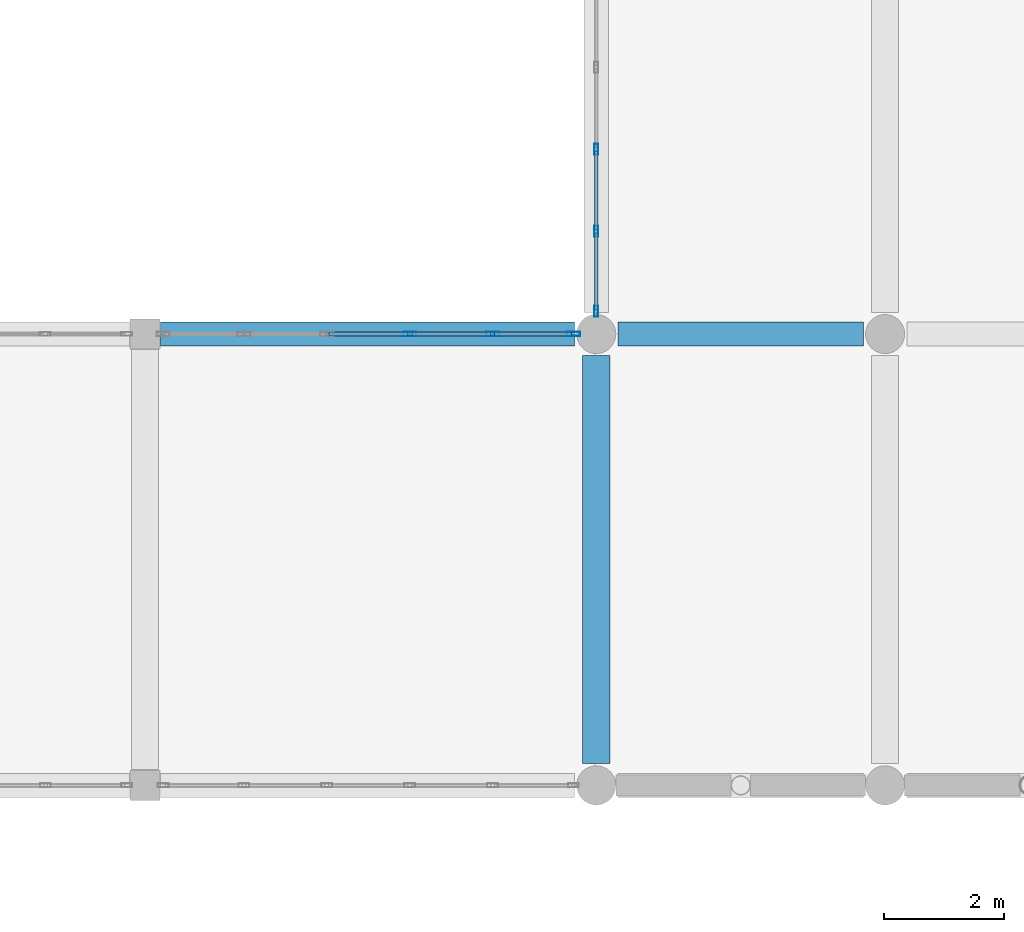
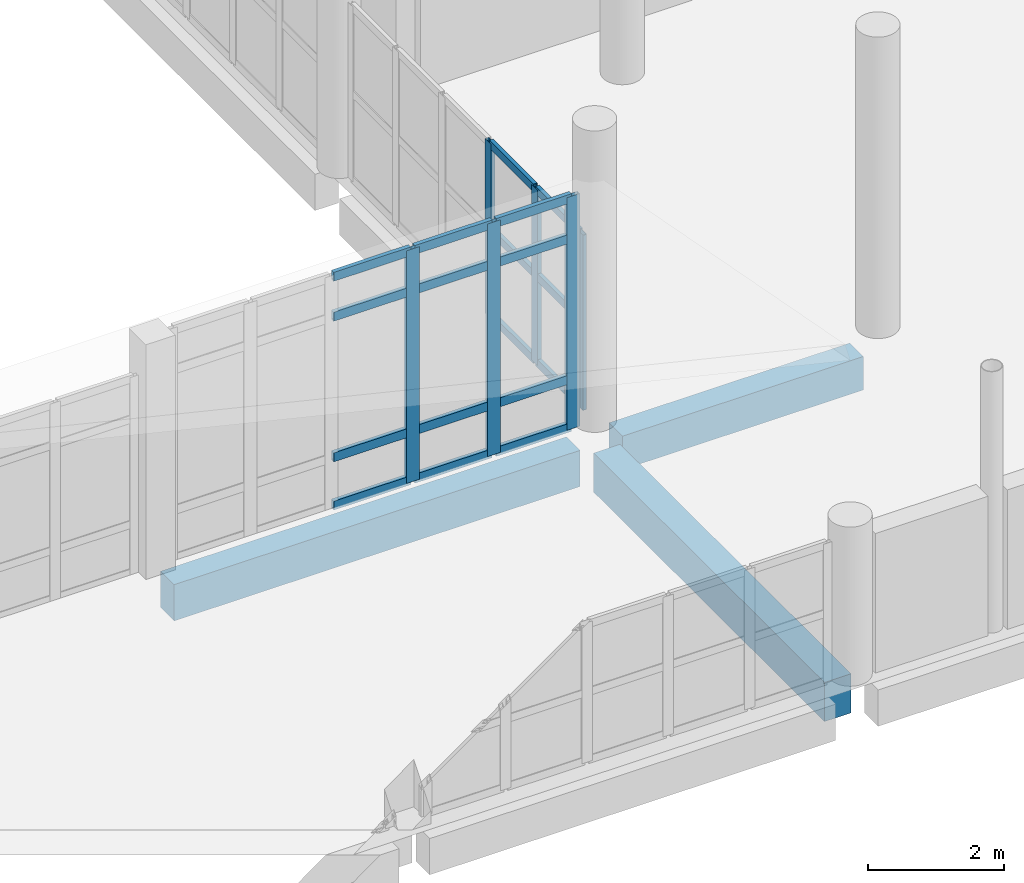
# One storey, part 51 of 164: 24 members, 3 beams, 2 elements without a shape of their own.
"""IFC4 building model written with IfcOpenShell, lengths in metres."""

from ifc_helpers import new_model, si_unit, direction, frame, origin, origin_2d, place, context, subcontext, project, spatial, rectangle, hollow_rectangle, extrude, material, layer, layer_set, material_profile, profile_set, type_object, element, aggregate, save


model = new_model("IFC4")

# Units and contexts
model_context = context("Model", 3, precision=1e-05, world=origin(), true_north=direction((0.0, 1.0)))
body_context = subcontext(model_context, "Body", "Model", "MODEL_VIEW")
ifc_project = project(units=[si_unit("LENGTHUNIT", "METRE"), si_unit("AREAUNIT", "SQUARE_METRE"), si_unit("VOLUMEUNIT", "CUBIC_METRE"), si_unit("PLANEANGLEUNIT", "RADIAN"), si_unit("MASSUNIT", "GRAM", prefix="KILO")], contexts=[model_context])

# Site, building, storey
site_placement = place(None, origin())
site = spatial("IfcSite", under=ifc_project, at=site_placement, CompositionType="ELEMENT")
building_placement = place(site_placement, origin())
building = spatial("IfcBuilding", under=site, at=building_placement, Name="Mawjan Specialist Oncology Clinic", CompositionType="ELEMENT")
storey_placement = place(building_placement, frame((0.0, 0.0, 5.0)))
storey = spatial("IfcBuildingStorey", under=building, at=storey_placement, Name="L01", CompositionType="ELEMENT", Elevation=5.0)

# Beams
ifc_material_1 = material(Name="Concrete C40/50", Category="concrete")
ifc_material_profile_1 = material_profile(ifc_material_1, rectangle(XDim=0.39990234375, YDim=0.60009765625, at=origin_2d()), Name="RC BM 400x600", Category="concrete")
ifc_profile_set_1 = profile_set([ifc_material_profile_1], Name="Concrete C40/50")
beam_type_1 = type_object("IfcBeamType", Name="BM-400x600", PredefinedType="BEAM", material=ifc_profile_set_1)
beam_1_placement = place(storey_placement, frame((60.360107421875, 53.300048828125, -0.60009765625), z_axis=(1.0, 0.0, 0.0), x_axis=(0.0, 1.0, 0.0)))
element("IfcBeam", 1, at=beam_1_placement, inside=storey, type_object=beam_type_1, Name="L01 Collector Beam BM-L01-0280", PredefinedType="BEAM", context=body_context, shape_type="SweptSolid", body=[
    extrude(rectangle(XDim=0.39990234375, YDim=0.60009765625, at=origin_2d()), origin(), (0.0, 0.0, 1.0), 4.079833984375),
])
ifc_material_2 = material(Name="Concrete C40/50", Category="concrete")
ifc_material_profile_2 = material_profile(ifc_material_2, rectangle(XDim=0.449951171875, YDim=0.699951171875, at=origin_2d()), Name="RC BM 450x700", Category="concrete")
ifc_profile_set_2 = profile_set([ifc_material_profile_2], Name="Concrete C40/50")
beam_type_2 = type_object("IfcBeamType", Name="BM-450x700", PredefinedType="BEAM", material=ifc_profile_set_2)
beam_2_placement = place(storey_placement, frame((60.0, 46.159912109375, -0.64990234375), z_axis=(0.0, 1.0, 0.0), x_axis=(-1.0, 0.0, 0.0)))
element("IfcBeam", 2, at=beam_2_placement, inside=storey, type_object=beam_type_2, Name="L01 Collector Beam BM-L01-0488", PredefinedType="BEAM", context=body_context, shape_type="SweptSolid", body=[
    extrude(rectangle(XDim=0.449951171875, YDim=0.699951171875, at=origin_2d()), origin(), (0.0, 0.0, 1.0), 6.780029296875),
])

# Curtain wall, members
ifc_material_3 = material(Name="Unitised spectrally selective aluminium curtain wall", Category="aluminium")
ifc_layer_1 = layer(ifc_material_3, 0.179931640625, Name="Unitised spectrally selective aluminium curtain wall", Category="aluminium")
ifc_layer_set_1 = layer_set([ifc_layer_1], Name="Unitised spectrally selective aluminium curtain wall")
curtain_wall_type_1 = type_object("IfcCurtainWallType", Name="CW-55", PredefinedType="NOTDEFINED", material=ifc_layer_set_1)
curtain_wall_1_placement = place(storey_placement, origin())
curtain_wall_1 = element("IfcCurtainWall", 3, at=curtain_wall_1_placement, inside=storey, type_object=curtain_wall_type_1, Name="L01 Unitised Curtain Wall CW-L01-100", PredefinedType="NOTDEFINED")
ifc_material_4 = material(Name="Thermally broken aluminium 6063-T6", Category="aluminium")
ifc_material_profile_3 = material_profile(ifc_material_4, hollow_rectangle(XDim=0.06494140625, YDim=0.179931640625, WallThickness=0.00390625, at=origin_2d()), Name="ALU MULLION 180x65x4", Category="aluminium")
ifc_profile_set_3 = profile_set([ifc_material_profile_3], Name="Thermally broken aluminium 6063-T6")
member_type_1 = type_object("IfcMemberType", Name="CW-M180", PredefinedType="MULLION", material=ifc_profile_set_3)
member_1_placement = place(storey_placement, frame((60.0, 53.677490234375, 0.0), z_axis=(0.0, 0.0, 1.0), x_axis=(-1.0, 0.0, 0.0)))
member_1 = element("IfcMember", 4, at=member_1_placement, type_object=member_type_1, Name="CW-55 mullion 1", PredefinedType="MULLION", context=body_context, shape_type="SweptSolid", body=[
    extrude(hollow_rectangle(XDim=0.06494140625, YDim=0.179931640625, WallThickness=0.00390625, at=origin_2d()), origin(), (0.0, 0.0, 1.0), 3.139892578125),
])
member_2_placement = place(storey_placement, frame((60.0, 55.007080078125, 0.0), z_axis=(0.0, 0.0, 1.0), x_axis=(-1.0, 0.0, 0.0)))
member_2 = element("IfcMember", 5, at=member_2_placement, type_object=member_type_1, Name="CW-55 mullion 2", PredefinedType="MULLION", context=body_context, shape_type="SweptSolid", body=[
    extrude(hollow_rectangle(XDim=0.06494140625, YDim=0.179931640625, WallThickness=0.00390625, at=origin_2d()), origin(), (0.0, 0.0, 1.0), 3.139892578125),
])
member_3_placement = place(storey_placement, frame((60.0, 56.368896484375, 0.0), z_axis=(0.0, 0.0, 1.0), x_axis=(-1.0, 0.0, 0.0)))
member_3 = element("IfcMember", 6, at=member_3_placement, type_object=member_type_1, Name="CW-55 mullion 3", PredefinedType="MULLION", context=body_context, shape_type="SweptSolid", body=[
    extrude(hollow_rectangle(XDim=0.06494140625, YDim=0.179931640625, WallThickness=0.00390625, at=origin_2d()), origin(), (0.0, 0.0, 1.0), 3.139892578125),
])

ifc_material_5 = material(Name="Unitised spectrally selective aluminium curtain wall", Category="aluminium")
ifc_layer_2 = layer(ifc_material_5, 0.179931640625, Name="Unitised spectrally selective aluminium curtain wall", Category="aluminium")
ifc_layer_set_2 = layer_set([ifc_layer_2], Name="Unitised spectrally selective aluminium curtain wall")
curtain_wall_type_2 = type_object("IfcCurtainWallType", Name="CW-54", PredefinedType="NOTDEFINED", material=ifc_layer_set_2)
curtain_wall_2_placement = place(storey_placement, origin())
curtain_wall_2 = element("IfcCurtainWall", 7, at=curtain_wall_2_placement, inside=storey, type_object=curtain_wall_type_2, Name="L01 Unitised Curtain Wall CW-L01-099", PredefinedType="NOTDEFINED")
ifc_material_6 = material(Name="Thermally broken aluminium 6063-T6", Category="aluminium")
ifc_material_profile_4 = material_profile(ifc_material_6, hollow_rectangle(XDim=0.070068359375, YDim=0.219970703125, WallThickness=0.00390625, at=origin_2d()), Name="ALU MULLION 220x70x4", Category="aluminium")
ifc_profile_set_4 = profile_set([ifc_material_profile_4], Name="Thermally broken aluminium 6063-T6")
member_type_2 = type_object("IfcMemberType", Name="CW-M220", PredefinedType="MULLION", material=ifc_profile_set_4)
member_4_placement = place(storey_placement, frame((56.90087890625, 53.300048828125, 0.0), z_axis=(0.0, 0.0, 1.0), x_axis=(0.0, 1.0, 0.0)))
member_4 = element("IfcMember", 8, at=member_4_placement, type_object=member_type_2, Name="CW-54 mullion 4", PredefinedType="MULLION", context=body_context, shape_type="SweptSolid", body=[
    extrude(hollow_rectangle(XDim=0.070068359375, YDim=0.219970703125, WallThickness=0.00390625, at=origin_2d()), origin(), (0.0, 0.0, 1.0), 4.169921875),
])
member_5_placement = place(storey_placement, frame((58.278076171875, 53.300048828125, 0.0), z_axis=(0.0, 0.0, 1.0), x_axis=(0.0, 1.0, 0.0)))
member_5 = element("IfcMember", 9, at=member_5_placement, type_object=member_type_2, Name="CW-54 mullion 5", PredefinedType="MULLION", context=body_context, shape_type="SweptSolid", body=[
    extrude(hollow_rectangle(XDim=0.070068359375, YDim=0.219970703125, WallThickness=0.00390625, at=origin_2d()), origin(), (0.0, 0.0, 1.0), 4.169921875),
])
member_6_placement = place(storey_placement, frame((59.6201171875, 53.300048828125, 0.0), z_axis=(0.0, 0.0, 1.0), x_axis=(0.0, 1.0, 0.0)))
member_6 = element("IfcMember", 10, at=member_6_placement, type_object=member_type_2, Name="CW-54 mullion 6", PredefinedType="MULLION", context=body_context, shape_type="SweptSolid", body=[
    extrude(hollow_rectangle(XDim=0.070068359375, YDim=0.219970703125, WallThickness=0.00390625, at=origin_2d()), origin(), (0.0, 0.0, 1.0), 4.169921875),
])

# Member
ifc_material_7 = material(Name="Thermally broken aluminium 6063-T6", Category="aluminium")
ifc_material_profile_5 = material_profile(ifc_material_7, hollow_rectangle(XDim=0.06494140625, YDim=0.139892578125, WallThickness=0.00390625, at=origin_2d()), Name="ALU TRANSOM 140x65x4", Category="aluminium")
ifc_profile_set_5 = profile_set([ifc_material_profile_5], Name="Thermally broken aluminium 6063-T6")
member_type_3 = type_object("IfcMemberType", Name="CW-T140", PredefinedType="USERDEFINED", material=ifc_profile_set_5)
member_7_placement = place(storey_placement, frame((60.0, 53.7099609375, 0.032470703125), z_axis=(0.0, 1.0, 0.0), x_axis=(-1.0, 0.0, 0.0)))
member_7 = element("IfcMember", 11, at=member_7_placement, type_object=member_type_3, Name="CW-55 transom 1.1", ObjectType="TRANSOM", PredefinedType="USERDEFINED", context=body_context, shape_type="SweptSolid", body=[
    extrude(hollow_rectangle(XDim=0.06494140625, YDim=0.139892578125, WallThickness=0.00390625, at=origin_2d()), origin(), (0.0, 0.0, 1.0), 1.2646484375),
])

member_8_placement = place(storey_placement, frame((60.0, 53.7099609375, 1.570068359375), z_axis=(0.0, 1.0, 0.0), x_axis=(-1.0, 0.0, 0.0)))
member_8 = element("IfcMember", 12, at=member_8_placement, type_object=member_type_3, Name="CW-55 transom 1.2", ObjectType="TRANSOM", PredefinedType="USERDEFINED", context=body_context, shape_type="SweptSolid", body=[
    extrude(hollow_rectangle(XDim=0.06494140625, YDim=0.139892578125, WallThickness=0.00390625, at=origin_2d()), origin(), (0.0, 0.0, 1.0), 1.2646484375),
])

member_9_placement = place(storey_placement, frame((60.0, 53.7099609375, 3.107421875), z_axis=(0.0, 1.0, 0.0), x_axis=(-1.0, 0.0, 0.0)))
member_9 = element("IfcMember", 13, at=member_9_placement, type_object=member_type_3, Name="CW-55 transom 1.3", ObjectType="TRANSOM", PredefinedType="USERDEFINED", context=body_context, shape_type="SweptSolid", body=[
    extrude(hollow_rectangle(XDim=0.06494140625, YDim=0.139892578125, WallThickness=0.00390625, at=origin_2d()), origin(), (0.0, 0.0, 1.0), 1.2646484375),
])

member_10_placement = place(storey_placement, frame((60.0, 55.03955078125, 0.032470703125), z_axis=(0.0, 1.0, 0.0), x_axis=(-1.0, 0.0, 0.0)))
member_10 = element("IfcMember", 14, at=member_10_placement, type_object=member_type_3, Name="CW-55 transom 2.1", ObjectType="TRANSOM", PredefinedType="USERDEFINED", context=body_context, shape_type="SweptSolid", body=[
    extrude(hollow_rectangle(XDim=0.06494140625, YDim=0.139892578125, WallThickness=0.00390625, at=origin_2d()), origin(), (0.0, 0.0, 1.0), 1.296875),
])

member_11_placement = place(storey_placement, frame((60.0, 55.03955078125, 1.570068359375), z_axis=(0.0, 1.0, 0.0), x_axis=(-1.0, 0.0, 0.0)))
member_11 = element("IfcMember", 15, at=member_11_placement, type_object=member_type_3, Name="CW-55 transom 2.2", ObjectType="TRANSOM", PredefinedType="USERDEFINED", context=body_context, shape_type="SweptSolid", body=[
    extrude(hollow_rectangle(XDim=0.06494140625, YDim=0.139892578125, WallThickness=0.00390625, at=origin_2d()), origin(), (0.0, 0.0, 1.0), 1.296875),
])

member_12_placement = place(storey_placement, frame((60.0, 55.03955078125, 3.107421875), z_axis=(0.0, 1.0, 0.0), x_axis=(-1.0, 0.0, 0.0)))
member_12 = element("IfcMember", 16, at=member_12_placement, type_object=member_type_3, Name="CW-55 transom 2.3", ObjectType="TRANSOM", PredefinedType="USERDEFINED", context=body_context, shape_type="SweptSolid", body=[
    extrude(hollow_rectangle(XDim=0.06494140625, YDim=0.139892578125, WallThickness=0.00390625, at=origin_2d()), origin(), (0.0, 0.0, 1.0), 1.296875),
])

aggregate(curtain_wall_1, [member_1, member_2, member_3, member_7, member_8, member_9, member_10, member_11, member_12])

ifc_material_8 = material(Name="Thermally broken aluminium 6063-T6", Category="aluminium")
ifc_material_profile_6 = material_profile(ifc_material_8, hollow_rectangle(XDim=0.070068359375, YDim=0.159912109375, WallThickness=0.00390625, at=origin_2d()), Name="ALU TRANSOM 160x70x4", Category="aluminium")
ifc_profile_set_6 = profile_set([ifc_material_profile_6], Name="Thermally broken aluminium 6063-T6")
member_type_4 = type_object("IfcMemberType", Name="CW-T160", PredefinedType="USERDEFINED", material=ifc_profile_set_6)
member_13_placement = place(storey_placement, frame((55.55908203125, 53.300048828125, 0.034912109375), z_axis=(1.0, 0.0, 0.0), x_axis=(0.0, 1.0, 0.0)))
member_13 = element("IfcMember", 17, at=member_13_placement, type_object=member_type_4, Name="CW-54 transom 3.1", ObjectType="TRANSOM", PredefinedType="USERDEFINED", context=body_context, shape_type="SweptSolid", body=[
    extrude(hollow_rectangle(XDim=0.070068359375, YDim=0.159912109375, WallThickness=0.00390625, at=origin_2d()), origin(), (0.0, 0.0, 1.0), 1.306884765625),
])

member_14_placement = place(storey_placement, frame((55.55908203125, 53.300048828125, 0.89990234375), z_axis=(1.0, 0.0, 0.0), x_axis=(0.0, 1.0, 0.0)))
member_14 = element("IfcMember", 18, at=member_14_placement, type_object=member_type_4, Name="CW-54 transom 3.2", ObjectType="TRANSOM", PredefinedType="USERDEFINED", context=body_context, shape_type="SweptSolid", body=[
    extrude(hollow_rectangle(XDim=0.070068359375, YDim=0.159912109375, WallThickness=0.00390625, at=origin_2d()), origin(), (0.0, 0.0, 1.0), 1.306884765625),
])

member_15_placement = place(storey_placement, frame((55.55908203125, 53.300048828125, 3.419921875), z_axis=(1.0, 0.0, 0.0), x_axis=(0.0, 1.0, 0.0)))
member_15 = element("IfcMember", 19, at=member_15_placement, type_object=member_type_4, Name="CW-54 transom 3.3", ObjectType="TRANSOM", PredefinedType="USERDEFINED", context=body_context, shape_type="SweptSolid", body=[
    extrude(hollow_rectangle(XDim=0.070068359375, YDim=0.159912109375, WallThickness=0.00390625, at=origin_2d()), origin(), (0.0, 0.0, 1.0), 1.306884765625),
])

member_16_placement = place(storey_placement, frame((55.55908203125, 53.300048828125, 4.135009765625), z_axis=(1.0, 0.0, 0.0), x_axis=(0.0, 1.0, 0.0)))
member_16 = element("IfcMember", 20, at=member_16_placement, type_object=member_type_4, Name="CW-54 transom 3.4", ObjectType="TRANSOM", PredefinedType="USERDEFINED", context=body_context, shape_type="SweptSolid", body=[
    extrude(hollow_rectangle(XDim=0.070068359375, YDim=0.159912109375, WallThickness=0.00390625, at=origin_2d()), origin(), (0.0, 0.0, 1.0), 1.306884765625),
])

member_17_placement = place(storey_placement, frame((56.93603515625, 53.300048828125, 0.034912109375), z_axis=(1.0, 0.0, 0.0), x_axis=(0.0, 1.0, 0.0)))
member_17 = element("IfcMember", 21, at=member_17_placement, type_object=member_type_4, Name="CW-54 transom 4.1", ObjectType="TRANSOM", PredefinedType="USERDEFINED", context=body_context, shape_type="SweptSolid", body=[
    extrude(hollow_rectangle(XDim=0.070068359375, YDim=0.159912109375, WallThickness=0.00390625, at=origin_2d()), origin(), (0.0, 0.0, 1.0), 1.306884765625),
])

member_18_placement = place(storey_placement, frame((56.93603515625, 53.300048828125, 0.89990234375), z_axis=(1.0, 0.0, 0.0), x_axis=(0.0, 1.0, 0.0)))
member_18 = element("IfcMember", 22, at=member_18_placement, type_object=member_type_4, Name="CW-54 transom 4.2", ObjectType="TRANSOM", PredefinedType="USERDEFINED", context=body_context, shape_type="SweptSolid", body=[
    extrude(hollow_rectangle(XDim=0.070068359375, YDim=0.159912109375, WallThickness=0.00390625, at=origin_2d()), origin(), (0.0, 0.0, 1.0), 1.306884765625),
])

member_19_placement = place(storey_placement, frame((56.93603515625, 53.300048828125, 3.419921875), z_axis=(1.0, 0.0, 0.0), x_axis=(0.0, 1.0, 0.0)))
member_19 = element("IfcMember", 23, at=member_19_placement, type_object=member_type_4, Name="CW-54 transom 4.3", ObjectType="TRANSOM", PredefinedType="USERDEFINED", context=body_context, shape_type="SweptSolid", body=[
    extrude(hollow_rectangle(XDim=0.070068359375, YDim=0.159912109375, WallThickness=0.00390625, at=origin_2d()), origin(), (0.0, 0.0, 1.0), 1.306884765625),
])

member_20_placement = place(storey_placement, frame((56.93603515625, 53.300048828125, 4.135009765625), z_axis=(1.0, 0.0, 0.0), x_axis=(0.0, 1.0, 0.0)))
member_20 = element("IfcMember", 24, at=member_20_placement, type_object=member_type_4, Name="CW-54 transom 4.4", ObjectType="TRANSOM", PredefinedType="USERDEFINED", context=body_context, shape_type="SweptSolid", body=[
    extrude(hollow_rectangle(XDim=0.070068359375, YDim=0.159912109375, WallThickness=0.00390625, at=origin_2d()), origin(), (0.0, 0.0, 1.0), 1.306884765625),
])

member_21_placement = place(storey_placement, frame((58.31298828125, 53.300048828125, 0.034912109375), z_axis=(1.0, 0.0, 0.0), x_axis=(0.0, 1.0, 0.0)))
member_21 = element("IfcMember", 25, at=member_21_placement, type_object=member_type_4, Name="CW-54 transom 5.1", ObjectType="TRANSOM", PredefinedType="USERDEFINED", context=body_context, shape_type="SweptSolid", body=[
    extrude(hollow_rectangle(XDim=0.070068359375, YDim=0.159912109375, WallThickness=0.00390625, at=origin_2d()), origin(), (0.0, 0.0, 1.0), 1.27197265625),
])

member_22_placement = place(storey_placement, frame((58.31298828125, 53.300048828125, 0.89990234375), z_axis=(1.0, 0.0, 0.0), x_axis=(0.0, 1.0, 0.0)))
member_22 = element("IfcMember", 26, at=member_22_placement, type_object=member_type_4, Name="CW-54 transom 5.2", ObjectType="TRANSOM", PredefinedType="USERDEFINED", context=body_context, shape_type="SweptSolid", body=[
    extrude(hollow_rectangle(XDim=0.070068359375, YDim=0.159912109375, WallThickness=0.00390625, at=origin_2d()), origin(), (0.0, 0.0, 1.0), 1.27197265625),
])

member_23_placement = place(storey_placement, frame((58.31298828125, 53.300048828125, 3.419921875), z_axis=(1.0, 0.0, 0.0), x_axis=(0.0, 1.0, 0.0)))
member_23 = element("IfcMember", 27, at=member_23_placement, type_object=member_type_4, Name="CW-54 transom 5.3", ObjectType="TRANSOM", PredefinedType="USERDEFINED", context=body_context, shape_type="SweptSolid", body=[
    extrude(hollow_rectangle(XDim=0.070068359375, YDim=0.159912109375, WallThickness=0.00390625, at=origin_2d()), origin(), (0.0, 0.0, 1.0), 1.27197265625),
])

member_24_placement = place(storey_placement, frame((58.31298828125, 53.300048828125, 4.135009765625), z_axis=(1.0, 0.0, 0.0), x_axis=(0.0, 1.0, 0.0)))
member_24 = element("IfcMember", 28, at=member_24_placement, type_object=member_type_4, Name="CW-54 transom 5.4", ObjectType="TRANSOM", PredefinedType="USERDEFINED", context=body_context, shape_type="SweptSolid", body=[
    extrude(hollow_rectangle(XDim=0.070068359375, YDim=0.159912109375, WallThickness=0.00390625, at=origin_2d()), origin(), (0.0, 0.0, 1.0), 1.27197265625),
])

aggregate(curtain_wall_2, [member_4, member_5, member_6, member_13, member_14, member_15, member_16, member_17, member_18, member_19, member_20, member_21, member_22, member_23, member_24])

# Beam
ifc_material_9 = material(Name="Concrete C45/55", Category="concrete")
ifc_material_profile_7 = material_profile(ifc_material_9, rectangle(XDim=0.39990234375, YDim=0.64990234375, at=origin_2d()), Name="RC BM 400x650", Category="concrete")
ifc_profile_set_7 = profile_set([ifc_material_profile_7], Name="Concrete C45/55")
beam_type_3 = type_object("IfcBeamType", Name="SP-400x650", PredefinedType="SPANDREL", material=ifc_profile_set_7)
beam_3_placement = place(storey_placement, frame((52.760009765625, 53.300048828125, -0.625), z_axis=(1.0, 0.0, 0.0), x_axis=(0.0, 1.0, 0.0)))
element("IfcBeam", 29, at=beam_3_placement, inside=storey, type_object=beam_type_3, Name="L01 Spandrel Beam BM-L01-0279", PredefinedType="SPANDREL", context=body_context, shape_type="SweptSolid", body=[
    extrude(rectangle(XDim=0.39990234375, YDim=0.64990234375, at=origin_2d()), origin(), (0.0, 0.0, 1.0), 6.8798828125),
])

save(model, "model.ifc")
